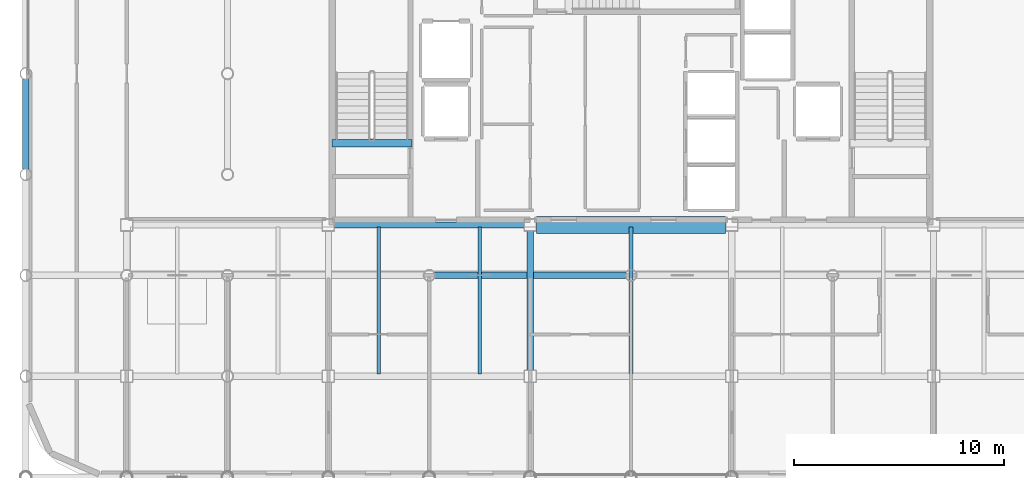
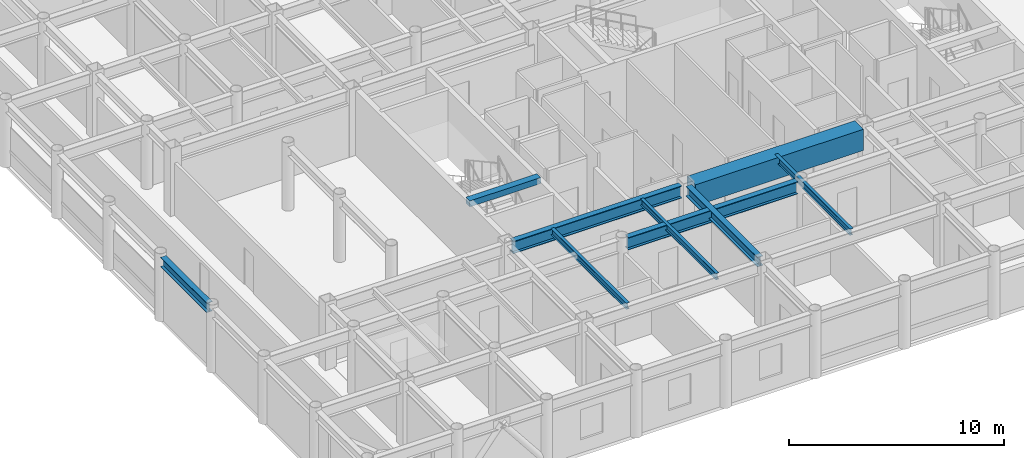
# One storey, part 5 of 24: 9 beams.
"""IFC4 building model written with IfcOpenShell, lengths in metres."""

import ifcopenshell
import ifcopenshell.guid

model = None  # the IFC model being written
_history = None  # IfcOwnerHistory: only IFC2X3 demands one
_inside = {}  # id of a spatial element -> (the spatial element, [elements in it])
_under = {}  # id of a project, library or spatial element -> (it, [spatial elements below it])
_declared = {}  # id of a project -> (the project, [libraries it declares])
_typed = {}  # id of a type object -> (the type object, [elements of that type])
_made_of = {}  # id of a material, layer set ... -> (it, [elements and type objects made of it])


def new_model(schema):
    """Start an empty IFC model of exactly this schema.

    Asked for "IFC4X3", IfcOpenShell would pick the latest addendum, in which some entities
    have other attributes; the version numbers below select the first issue.
    IFC2X3 requires an IfcOwnerHistory on every rooted entity: one is made here for all.
    """
    global model, _history
    if schema == "IFC4X3":
        model = ifcopenshell.file(schema_version=(4, 3, 0, 0))
    else:
        model = ifcopenshell.file(schema=schema)
    _inside.clear()
    _under.clear()
    _declared.clear()
    _typed.clear()
    _made_of.clear()
    _history = None
    if model.schema == "IFC2X3":
        org = make("IfcOrganization", Name="unknown")
        user = make(
            "IfcPersonAndOrganization",
            ThePerson=make("IfcPerson", FamilyName="unknown"),
            TheOrganization=org,
        )
        app = make(
            "IfcApplication",
            ApplicationDeveloper=org,
            Version="unknown",
            ApplicationFullName="unknown",
            ApplicationIdentifier="unknown",
        )
        _history = make(
            "IfcOwnerHistory",
            OwningUser=user,
            OwningApplication=app,
            ChangeAction="ADDED",
            CreationDate=0,
        )
    return model


def make(cls, **values):
    """One entity of the class cls with the attributes given. An attribute that is None is left unset."""
    return model.create_entity(
        cls, **{name: value for name, value in values.items() if value is not None}
    )


def rooted(cls, **values):
    """An entity with a GlobalId (a new one), such as an element, a storey or a relation."""
    return make(cls, GlobalId=ifcopenshell.guid.new(), OwnerHistory=_history, **values)


def si_unit(unit_type, name, prefix=None):
    """IfcSIUnit, for example si_unit("LENGTHUNIT", "METRE", prefix="MILLI")."""
    return make("IfcSIUnit", UnitType=unit_type, Prefix=prefix, Name=name)


def assignment(units):
    """IfcUnitAssignment: the units of a project."""
    return None if units is None else make("IfcUnitAssignment", Units=units)


def point(xyz):
    """IfcCartesianPoint."""
    return None if xyz is None else make("IfcCartesianPoint", Coordinates=xyz)


def direction(xyz):
    """IfcDirection."""
    return None if xyz is None else make("IfcDirection", DirectionRatios=xyz)


def frame(location, z_axis=None, x_axis=None):
    """IfcAxis2Placement3D, a coordinate frame: its origin and axes. An axis left out is left unset."""
    return make(
        "IfcAxis2Placement3D",
        Location=point(location),
        Axis=direction(z_axis),
        RefDirection=direction(x_axis),
    )


def frame_2d(location, x_axis=None):
    """IfcAxis2Placement2D, a coordinate frame in the plane: its origin and x axis."""
    return make(
        "IfcAxis2Placement2D", Location=point(location), RefDirection=direction(x_axis)
    )


def origin():
    """The frame at (0, 0, 0) with its axes left unset."""
    return frame((0.0, 0.0, 0.0))


def origin_2d():
    """The frame at (0, 0) in the plane with its x axis left unset."""
    return frame_2d((0.0, 0.0))


def place(relative_to, where):
    """IfcLocalPlacement: puts the frame where relative to a parent placement (None: the world)."""
    return make(
        "IfcLocalPlacement", PlacementRelTo=relative_to, RelativePlacement=where
    )


def context(
    kind, dimensions, precision=None, world=None, true_north=None, identifier=None
):
    """IfcGeometricRepresentationContext, for example the 3D "Model" context."""
    return make(
        "IfcGeometricRepresentationContext",
        ContextIdentifier=identifier,
        ContextType=kind,
        CoordinateSpaceDimension=dimensions,
        Precision=precision,
        WorldCoordinateSystem=world,
        TrueNorth=true_north,
    )


def subcontext(parent, identifier, kind, view, scale=None):
    """IfcGeometricRepresentationSubContext, for example "Body" below "Model"."""
    return make(
        "IfcGeometricRepresentationSubContext",
        ContextIdentifier=identifier,
        ContextType=kind,
        ParentContext=parent,
        TargetScale=scale,
        TargetView=view,
    )


def project(units=None, contexts=None):
    """IfcProject with its units and contexts."""
    return rooted(
        "IfcProject",
        Name="project",
        RepresentationContexts=contexts,
        UnitsInContext=assignment(units),
    )


def spatial(cls, under=None, at=None, **own):
    """A site, building, storey or space (cls), placed at a placement, below another one or the project."""
    s = rooted(cls, ObjectPlacement=at, **own)
    if under is not None:
        _under.setdefault(under.id(), (under, []))[1].append(s)
    return s


def profile(cls, at=None, kind="AREA", **sizes):
    """A parametric profile (cls). Its sizes go by their IFC names, for example OverallWidth=200.0."""
    return make(cls, ProfileType=kind, Position=at, **sizes)


def rectangle(**sizes):
    """IfcRectangleProfileDef."""
    return profile("IfcRectangleProfileDef", **sizes)


def i_section(**sizes):
    """IfcIShapeProfileDef."""
    return profile("IfcIShapeProfileDef", **sizes)


def extrude(swept, where, along, depth):
    """IfcExtrudedAreaSolid: the profile swept, set in the frame where, extruded along a direction by depth."""
    return make(
        "IfcExtrudedAreaSolid",
        SweptArea=swept,
        Position=where,
        ExtrudedDirection=direction(along),
        Depth=depth,
    )


def shape(context_of_items, identifier, shape_type, items):
    """IfcShapeRepresentation: the items that make up one representation, for example the "Body"."""
    return make(
        "IfcShapeRepresentation",
        ContextOfItems=context_of_items,
        RepresentationIdentifier=identifier,
        RepresentationType=shape_type,
        Items=items,
    )


def material(Name=None, Category=None):
    """IfcMaterial."""
    return make("IfcMaterial", Name=Name, Category=Category)


def material_profile(
    of_material, cross_section, Name=None, Category=None, Priority=None
):
    """IfcMaterialProfile: a cross section and its material."""
    return make(
        "IfcMaterialProfile",
        Name=Name,
        Material=of_material,
        Profile=cross_section,
        Priority=Priority,
        Category=Category,
    )


def profile_set(profiles, Name=None, composite=None):
    """IfcMaterialProfileSet."""
    return make(
        "IfcMaterialProfileSet",
        Name=Name,
        MaterialProfiles=profiles,
        CompositeProfile=composite,
    )


def made_of(thing, what):
    """Note that an element or type object is made of a material, layer set ...; save() writes the relation."""
    if what is not None:
        _made_of.setdefault(what.id(), (what, []))[1].append(thing)
    return thing


def type_object(cls, material=None, **own):
    """A type object (cls), such as IfcWallType, which elements share."""
    return made_of(rooted(cls, **own), material)


def element(
    cls,
    number,
    at=None,
    inside=None,
    cuts=None,
    type_object=None,
    material=None,
    context=None,
    identifier="Body",
    shape_type=None,
    held_by="IfcProductDefinitionShape",
    body=None,
    shapes=None,
    **own,
):
    """One element of the class cls, such as IfcWall. Its Tag is "e" and its number.

    at: its placement. inside: the storey or other place that contains it. cuts: it is an
    opening in that element (IfcRelVoidsElement). A single representation is given by context,
    identifier, shape_type and body (its items); several are given by shapes. held_by: the class
    of the entity that holds the representations. save() writes the other relations.
    """
    e = rooted(cls, Tag="e%d" % number, ObjectPlacement=at, **own)
    if body is not None:
        shapes = [shape(context, identifier, shape_type, body)]
    if shapes is not None:
        e.Representation = make(held_by, Representations=shapes)
    if inside is not None:
        _inside.setdefault(inside.id(), (inside, []))[1].append(e)
    if cuts is not None:
        rooted(
            "IfcRelVoidsElement", RelatingBuildingElement=cuts, RelatedOpeningElement=e
        )
    if type_object is not None:
        _typed.setdefault(type_object.id(), (type_object, []))[1].append(e)
    return made_of(e, material)


def aggregate(whole, parts):
    """IfcRelAggregates: a whole, such as a stair, and the parts it consists of."""
    return rooted("IfcRelAggregates", RelatingObject=whole, RelatedObjects=parts)


def save(model, path):
    """Write the relations noted so far, then the file.

    IfcRelAggregates (storeys below a building ...), IfcRelContainedInSpatialStructure (elements
    in a storey), IfcRelDefinesByType, IfcRelAssociatesMaterial and IfcRelDeclares: one each for
    every whole, place, type object, material and project.
    """
    for whole, parts in _under.values():
        aggregate(whole, parts)
    for where, things in _inside.values():
        rooted(
            "IfcRelContainedInSpatialStructure",
            RelatedElements=things,
            RelatingStructure=where,
        )
    for kind, things in _typed.values():
        rooted("IfcRelDefinesByType", RelatedObjects=things, RelatingType=kind)
    for what, things in _made_of.values():
        rooted("IfcRelAssociatesMaterial", RelatedObjects=things, RelatingMaterial=what)
    for by, libraries in _declared.values():
        rooted("IfcRelDeclares", RelatingContext=by, RelatedDefinitions=libraries)
    model.write(path)


model = new_model("IFC4")

# Units and contexts
model_context = context("Model", 3, precision=1e-05, world=origin(), true_north=direction((0.0, 1.0)))
body_context = subcontext(model_context, "Body", "Model", "MODEL_VIEW")
ifc_project = project(units=[si_unit("LENGTHUNIT", "METRE"), si_unit("AREAUNIT", "SQUARE_METRE"), si_unit("VOLUMEUNIT", "CUBIC_METRE"), si_unit("PLANEANGLEUNIT", "RADIAN"), si_unit("MASSUNIT", "GRAM", prefix="KILO")], contexts=[model_context])

# Site, building, storey
site_placement = place(None, origin())
site = spatial("IfcSite", under=ifc_project, at=site_placement, CompositionType="ELEMENT")
building_placement = place(site_placement, origin())
building = spatial("IfcBuilding", under=site, at=building_placement, Name="Kallvorn Hotel Tower", CompositionType="ELEMENT")
storey_placement = place(building_placement, frame((0.0, 0.0, 233.85009765625)))
storey = spatial("IfcBuildingStorey", under=building, at=storey_placement, Name="L58", CompositionType="ELEMENT", Elevation=233.85009765625)

# Beams
ifc_material_1 = material(Name="Structural steel S355JR", Category="steel")
ifc_material_profile_1 = material_profile(ifc_material_1, i_section(OverallWidth=0.300048828125, OverallDepth=0.550048828125, WebThickness=0.014892578125, FlangeThickness=0.029052734375, at=origin_2d()), Name="HE 550 B")
ifc_profile_set_1 = profile_set([ifc_material_profile_1], Name="Structural steel S355JR")
beam_type_1 = type_object("IfcBeamType", Name="BM_HE550B", PredefinedType="SPANDREL", material=ifc_profile_set_1)
beam_1_placement = place(storey_placement, frame((-28.800048828125, -4.54541015625, 3.39501953125), z_axis=(0.0, 1.0, 0.0), x_axis=(-1.0, 0.0, 0.0)))
element("IfcBeam", 1, at=beam_1_placement, inside=storey, type_object=beam_type_1, Name="L59 Primary Y-Girder 76", PredefinedType="SPANDREL", context=body_context, shape_type="SweptSolid", body=[
    extrude(i_section(OverallWidth=0.300048828125, OverallDepth=0.550048828125, WebThickness=0.014892578125, FlangeThickness=0.029052734375, at=origin_2d()), origin(), (0.0, 0.0, 1.0), 4.291015625),
])
beam_2_placement = place(storey_placement, frame((-4.800048828125, -14.125, 3.39501953125), z_axis=(0.0, 1.0, 0.0), x_axis=(-1.0, 0.0, 0.0)))
element("IfcBeam", 2, at=beam_2_placement, inside=storey, type_object=beam_type_1, Name="L59 Primary Y-Girder 106", PredefinedType="SPANDREL", context=body_context, shape_type="SweptSolid", body=[
    extrude(i_section(OverallWidth=0.300048828125, OverallDepth=0.550048828125, WebThickness=0.014892578125, FlangeThickness=0.029052734375, at=origin_2d()), origin(), (0.0, 0.0, 1.0), 6.64990234375),
])
ifc_material_2 = material(Name="Structural steel S355JR", Category="steel")
ifc_material_profile_2 = material_profile(ifc_material_2, i_section(OverallWidth=0.300048828125, OverallDepth=0.699951171875, WebThickness=0.01708984375, FlangeThickness=0.031982421875, at=origin_2d()), Name="HE 700 B")
ifc_profile_set_2 = profile_set([ifc_material_profile_2], Name="Structural steel S355JR")
beam_type_2 = type_object("IfcBeamType", Name="BM_HE700B", PredefinedType="BEAM", material=ifc_profile_set_2)
beam_3_placement = place(storey_placement, frame((-9.345458984375, -9.60009765625, 3.31982421875), z_axis=(1.0, 0.0, 0.0), x_axis=(0.0, 1.0, 0.0)))
element("IfcBeam", 3, at=beam_3_placement, inside=storey, type_object=beam_type_2, Name="L59 Primary X-Girder 26", PredefinedType="BEAM", context=body_context, shape_type="SweptSolid", body=[
    extrude(i_section(OverallWidth=0.300048828125, OverallDepth=0.699951171875, WebThickness=0.01708984375, FlangeThickness=0.031982421875, at=origin_2d()), origin(), (0.0, 0.0, 1.0), 9.091064453125),
])
beam_4_placement = place(storey_placement, frame((-14.125, -7.199951171875, 3.31982421875), z_axis=(1.0, 0.0, 0.0), x_axis=(0.0, 1.0, 0.0)))
element("IfcBeam", 4, at=beam_4_placement, inside=storey, type_object=beam_type_2, Name="L59 Primary X-Girder 33", PredefinedType="BEAM", context=body_context, shape_type="SweptSolid", body=[
    extrude(i_section(OverallWidth=0.300048828125, OverallDepth=0.699951171875, WebThickness=0.01708984375, FlangeThickness=0.031982421875, at=origin_2d()), origin(), (0.0, 0.0, 1.0), 9.050048828125),
])
ifc_material_3 = material(Name="Structural steel S355JR", Category="steel")
ifc_material_profile_3 = material_profile(ifc_material_3, i_section(OverallWidth=0.169921875, OverallDepth=0.360107421875, WebThickness=0.008056640625, FlangeThickness=0.0126953125, at=origin_2d()), Name="IPE 360")
ifc_profile_set_3 = profile_set([ifc_material_profile_3], Name="Structural steel S355JR")
beam_type_3 = type_object("IfcBeamType", Name="BM_IPE360", PredefinedType="JOIST", material=ifc_profile_set_3)
for number, where, z_axis, x_axis, name in (
    (5, (-12.0, -14.300048828125, 3.489990234375), (0.0, 1.0, 0.0), (-1.0, 0.0, 0.0), "L59 Secondary Composite Joist 196"),
    (6, (-7.199951171875, -14.300048828125, 3.489990234375), (0.0, 1.0, 0.0), (-1.0, 0.0, 0.0), "L59 Secondary Composite Joist 198"),
    (7, (0.0, -14.300048828125, 3.489990234375), (0.0, 1.0, 0.0), (-1.0, 0.0, 0.0), "L59 Secondary Composite Joist 200"),
):
    element("IfcBeam", number, at=place(storey_placement, frame(where, z_axis=z_axis, x_axis=x_axis)), inside=storey, type_object=beam_type_3, Name=name, PredefinedType="JOIST", context=body_context, shape_type="SweptSolid", body=[
        extrude(i_section(OverallWidth=0.169921875, OverallDepth=0.360107421875, WebThickness=0.008056640625, FlangeThickness=0.0126953125, at=origin_2d()), origin(), (0.0, 0.0, 1.0), 7.0),
    ])
ifc_material_4 = material(Name="Concrete C50/60", Category="concrete")
ifc_material_profile_4 = material_profile(ifc_material_4, rectangle(XDim=0.360107421875, YDim=0.340087890625, at=origin_2d()), Name="RC 360x340")
ifc_profile_set_4 = profile_set([ifc_material_profile_4], Name="Concrete C50/60")
beam_type_4 = type_object("IfcBeamType", Name="BM_RC_400x360", PredefinedType="BEAM", material=ifc_profile_set_4)
beam_5_placement = place(storey_placement, frame((-10.419921875, -3.31005859375, 3.5), z_axis=(-1.0, 0.0, 0.0), x_axis=(0.0, -1.0, 0.0)))
element("IfcBeam", 8, at=beam_5_placement, inside=storey, type_object=beam_type_4, Name="L59 Stair ST1 Arrival Trimmer Beam", PredefinedType="BEAM", context=body_context, shape_type="SweptSolid", body=[
    extrude(rectangle(XDim=0.360107421875, YDim=0.340087890625, at=origin_2d()), origin(), (0.0, 0.0, 1.0), 3.820068359375),
])
ifc_material_5 = material(Name="Concrete C50/60", Category="concrete")
ifc_material_profile_5 = material_profile(ifc_material_5, rectangle(XDim=0.800048828125, YDim=1.199951171875, at=origin_2d()), Name="RC 800x1200")
ifc_profile_set_5 = profile_set([ifc_material_profile_5], Name="Concrete C50/60")
beam_type_5 = type_object("IfcBeamType", Name="BM_RC_800x1200", PredefinedType="T_BEAM", material=ifc_profile_set_5)
beam_6_placement = place(storey_placement, frame((-4.5, -7.199951171875, 3.06982421875), z_axis=(1.0, 0.0, 0.0), x_axis=(0.0, 1.0, 0.0)))
element("IfcBeam", 9, at=beam_6_placement, inside=storey, type_object=beam_type_5, Name="L58 Core Coupling Beam South", PredefinedType="T_BEAM", context=body_context, shape_type="SweptSolid", body=[
    extrude(rectangle(XDim=0.800048828125, YDim=1.199951171875, at=origin_2d()), origin(), (0.0, 0.0, 1.0), 9.0),
])

save(model, "model.ifc")
